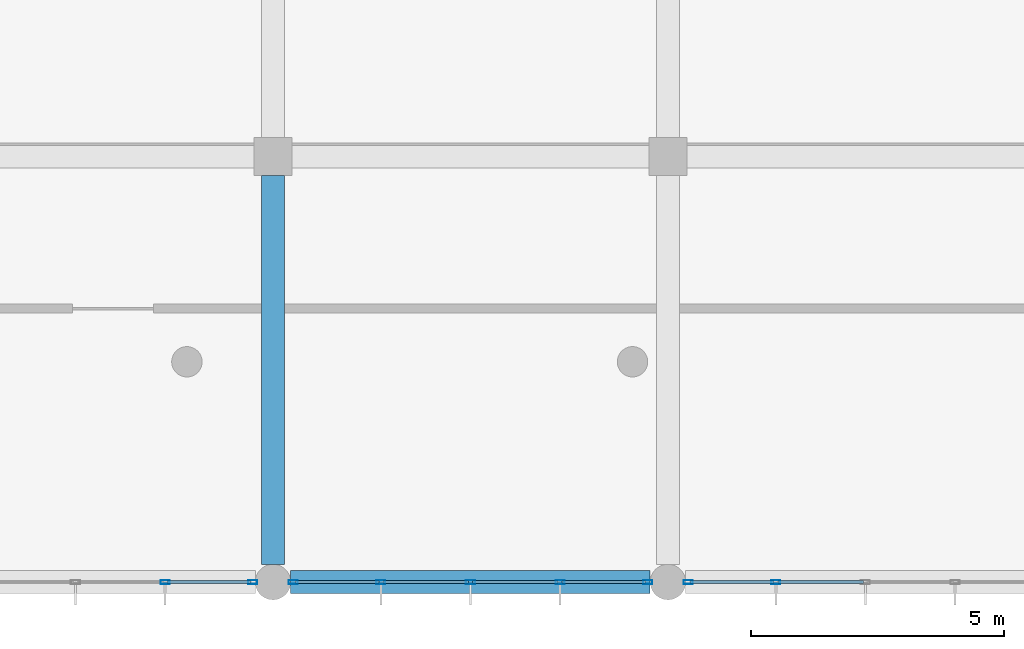
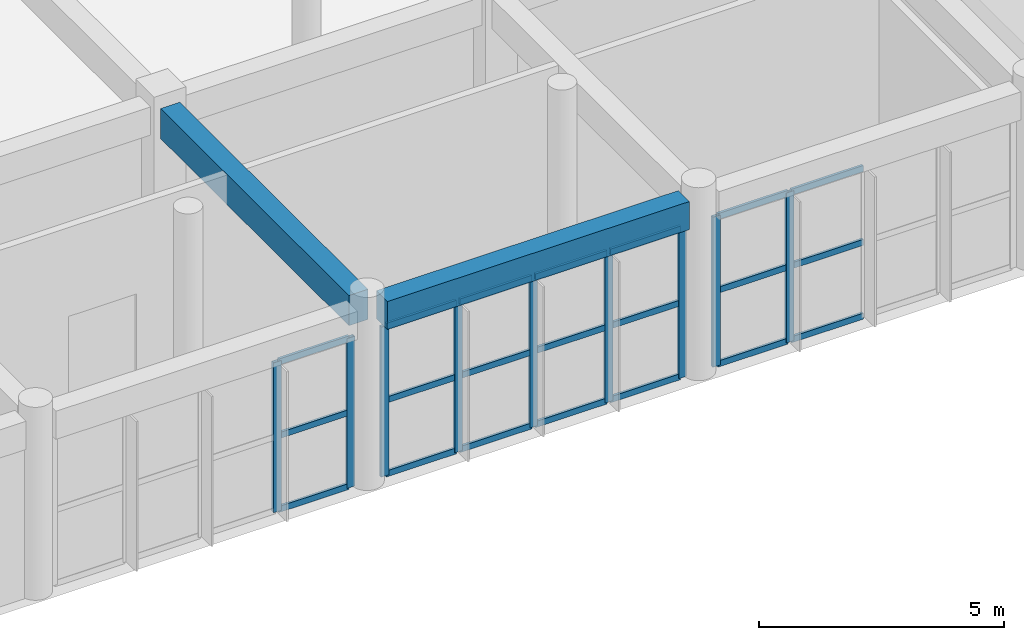
# One storey, part 10 of 167: 30 members, 2 beams, 3 elements without a shape of their own.
"""IFC4 building model written with IfcOpenShell, lengths in metres."""

from ifc_helpers import new_model, si_unit, direction, frame, origin, origin_2d, place, context, subcontext, project, spatial, rectangle, hollow_rectangle, extrude, material, layer, layer_set, material_profile, profile_set, type_object, element, aggregate, save


model = new_model("IFC4")

# Units and contexts
model_context = context("Model", 3, precision=1e-05, world=origin(), true_north=direction((0.0, 1.0)))
body_context = subcontext(model_context, "Body", "Model", "MODEL_VIEW")
ifc_project = project(units=[si_unit("LENGTHUNIT", "METRE"), si_unit("AREAUNIT", "SQUARE_METRE"), si_unit("VOLUMEUNIT", "CUBIC_METRE"), si_unit("PLANEANGLEUNIT", "RADIAN"), si_unit("MASSUNIT", "GRAM", prefix="KILO")], contexts=[model_context])

# Site, building, storey
site_placement = place(None, origin())
site = spatial("IfcSite", under=ifc_project, at=site_placement, CompositionType="ELEMENT")
building_placement = place(site_placement, origin())
building = spatial("IfcBuilding", under=site, at=building_placement, Name="Zizhar Promenade General Hospital", CompositionType="ELEMENT")
storey_placement = place(building_placement, frame((0.0, 0.0, 9.60009765625)))
storey = spatial("IfcBuildingStorey", under=building, at=storey_placement, Name="L02", CompositionType="ELEMENT", Elevation=9.60009765625)

# Beams
ifc_material_1 = material(Name="Concrete C35/45", Category="concrete")
ifc_material_profile_1 = material_profile(ifc_material_1, rectangle(XDim=0.449951171875, YDim=0.699951171875, at=origin_2d()))
ifc_profile_set_1 = profile_set([ifc_material_profile_1], Name="Concrete C35/45")
beam_type_1 = type_object("IfcBeamType", Name="BM-RC-450x700", PredefinedType="BEAM", material=ifc_profile_set_1)
beam_1_placement = place(storey_placement, frame((31.550048828125, 0.0, 4.119873046875), z_axis=(1.0, 0.0, 0.0), x_axis=(0.0, 1.0, 0.0)))
element("IfcBeam", 1, at=beam_1_placement, inside=storey, type_object=beam_type_1, Name="Grid Beam X L02 (4-0)", PredefinedType="BEAM", context=body_context, shape_type="SweptSolid", body=[
    extrude(rectangle(XDim=0.449951171875, YDim=0.699951171875, at=origin_2d()), origin(), (0.0, 0.0, 1.0), 7.099853515625),
])
ifc_material_2 = material(Name="Concrete C35/45", Category="concrete")
ifc_material_profile_2 = material_profile(ifc_material_2, rectangle(XDim=0.449951171875, YDim=0.75, at=origin_2d()))
ifc_profile_set_2 = profile_set([ifc_material_profile_2], Name="Concrete C35/45")
beam_type_2 = type_object("IfcBeamType", Name="BM-RC-450x750", PredefinedType="BEAM", material=ifc_profile_set_2)
beam_2_placement = place(storey_placement, frame((31.199951171875, 0.35009765625, 4.094970703125), z_axis=(0.0, 1.0, 0.0), x_axis=(-1.0, 0.0, 0.0)))
element("IfcBeam", 2, at=beam_2_placement, inside=storey, type_object=beam_type_2, Name="Grid Beam Y L02 (4-0)", PredefinedType="BEAM", context=body_context, shape_type="SweptSolid", body=[
    extrude(rectangle(XDim=0.449951171875, YDim=0.75, at=origin_2d()), origin(), (0.0, 0.0, 1.0), 7.6748046875),
])

# Curtain wall, members
ifc_material_3 = material(Name="Anodised aluminium 6063-T6 and low-E glass", Category="aluminium")
ifc_layer = layer(ifc_material_3, 0.159912109375)
ifc_layer_set = layer_set([ifc_layer], Name="Anodised aluminium 6063-T6 and low-E glass")
curtain_wall_type = type_object("IfcCurtainWallType", Name="CW-DT-MOD1", PredefinedType="NOTDEFINED", material=ifc_layer_set)
curtain_wall_1_placement = place(storey_placement, origin())
curtain_wall_1 = element("IfcCurtainWall", 3, at=curtain_wall_1_placement, inside=storey, type_object=curtain_wall_type, Name="Riverfront Clinical Curtain Wall L02-2", PredefinedType="NOTDEFINED")
ifc_material_4 = material(Name="Anodised aluminium 6063-T6", Category="aluminium")
ifc_material_profile_3 = material_profile(ifc_material_4, hollow_rectangle(XDim=0.080078125, YDim=0.179931640625, WallThickness=0.0048828125, at=origin_2d()))
ifc_profile_set_3 = profile_set([ifc_material_profile_3], Name="Anodised aluminium 6063-T6")
member_type_1 = type_object("IfcMemberType", Name="CWM-ALU-180x80", PredefinedType="MULLION", material=ifc_profile_set_3)
member_1_placement = place(storey_placement, frame((30.800048828125, 0.0, 0.0), z_axis=(0.0, 0.0, 1.0), x_axis=(0.0, -1.0, 0.0)))
member_1 = element("IfcMember", 4, at=member_1_placement, type_object=member_type_1, Name="CW-07 mullion 1", PredefinedType="MULLION", context=body_context, shape_type="SweptSolid", body=[
    extrude(hollow_rectangle(XDim=0.080078125, YDim=0.179931640625, WallThickness=0.0048828125, at=origin_2d()), origin(), (0.0, 0.0, 1.0), 3.72998046875),
])
member_2_placement = place(storey_placement, frame((29.070068359375, 0.0, 0.0), z_axis=(0.0, 0.0, 1.0), x_axis=(0.0, -1.0, 0.0)))
member_2 = element("IfcMember", 5, at=member_2_placement, type_object=member_type_1, Name="CW-07 mullion 2", PredefinedType="MULLION", context=body_context, shape_type="SweptSolid", body=[
    extrude(hollow_rectangle(XDim=0.080078125, YDim=0.179931640625, WallThickness=0.0048828125, at=origin_2d()), origin(), (0.0, 0.0, 1.0), 3.72998046875),
])

curtain_wall_2_placement = place(storey_placement, origin())
curtain_wall_2 = element("IfcCurtainWall", 6, at=curtain_wall_2_placement, inside=storey, type_object=curtain_wall_type, Name="Riverfront Clinical Curtain Wall L02-3", PredefinedType="NOTDEFINED")
member_3_placement = place(storey_placement, frame((38.60009765625, 0.0, 0.0), z_axis=(0.0, 0.0, 1.0), x_axis=(0.0, -1.0, 0.0)))
member_3 = element("IfcMember", 7, at=member_3_placement, type_object=member_type_1, Name="CW-07 mullion 1", PredefinedType="MULLION", context=body_context, shape_type="SweptSolid", body=[
    extrude(hollow_rectangle(XDim=0.080078125, YDim=0.179931640625, WallThickness=0.0048828125, at=origin_2d()), origin(), (0.0, 0.0, 1.0), 3.72998046875),
])
member_4_placement = place(storey_placement, frame((36.8701171875, 0.0, 0.0), z_axis=(0.0, 0.0, 1.0), x_axis=(0.0, -1.0, 0.0)))
member_4 = element("IfcMember", 8, at=member_4_placement, type_object=member_type_1, Name="CW-07 mullion 2", PredefinedType="MULLION", context=body_context, shape_type="SweptSolid", body=[
    extrude(hollow_rectangle(XDim=0.080078125, YDim=0.179931640625, WallThickness=0.0048828125, at=origin_2d()), origin(), (0.0, 0.0, 1.0), 3.72998046875),
])
member_5_placement = place(storey_placement, frame((35.10009765625, 0.0, 0.0), z_axis=(0.0, 0.0, 1.0), x_axis=(0.0, -1.0, 0.0)))
member_5 = element("IfcMember", 9, at=member_5_placement, type_object=member_type_1, Name="CW-07 mullion 3", PredefinedType="MULLION", context=body_context, shape_type="SweptSolid", body=[
    extrude(hollow_rectangle(XDim=0.080078125, YDim=0.179931640625, WallThickness=0.0048828125, at=origin_2d()), origin(), (0.0, 0.0, 1.0), 3.72998046875),
])
member_6_placement = place(storey_placement, frame((33.330078125, 0.0, 0.0), z_axis=(0.0, 0.0, 1.0), x_axis=(0.0, -1.0, 0.0)))
member_6 = element("IfcMember", 10, at=member_6_placement, type_object=member_type_1, Name="CW-07 mullion 4", PredefinedType="MULLION", context=body_context, shape_type="SweptSolid", body=[
    extrude(hollow_rectangle(XDim=0.080078125, YDim=0.179931640625, WallThickness=0.0048828125, at=origin_2d()), origin(), (0.0, 0.0, 1.0), 3.72998046875),
])
member_7_placement = place(storey_placement, frame((31.60009765625, 0.0, 0.0), z_axis=(0.0, 0.0, 1.0), x_axis=(0.0, -1.0, 0.0)))
member_7 = element("IfcMember", 11, at=member_7_placement, type_object=member_type_1, Name="CW-07 mullion 5", PredefinedType="MULLION", context=body_context, shape_type="SweptSolid", body=[
    extrude(hollow_rectangle(XDim=0.080078125, YDim=0.179931640625, WallThickness=0.0048828125, at=origin_2d()), origin(), (0.0, 0.0, 1.0), 3.72998046875),
])

curtain_wall_3_placement = place(storey_placement, origin())
curtain_wall_3 = element("IfcCurtainWall", 12, at=curtain_wall_3_placement, inside=storey, type_object=curtain_wall_type, Name="Riverfront Clinical Curtain Wall L02-4", PredefinedType="NOTDEFINED")
member_8_placement = place(storey_placement, frame((41.1298828125, 0.0, 0.0), z_axis=(0.0, 0.0, 1.0), x_axis=(0.0, -1.0, 0.0)))
member_8 = element("IfcMember", 13, at=member_8_placement, type_object=member_type_1, Name="CW-07 mullion 4", PredefinedType="MULLION", context=body_context, shape_type="SweptSolid", body=[
    extrude(hollow_rectangle(XDim=0.080078125, YDim=0.179931640625, WallThickness=0.0048828125, at=origin_2d()), origin(), (0.0, 0.0, 1.0), 3.72998046875),
])
member_9_placement = place(storey_placement, frame((39.39990234375, 0.0, 0.0), z_axis=(0.0, 0.0, 1.0), x_axis=(0.0, -1.0, 0.0)))
member_9 = element("IfcMember", 14, at=member_9_placement, type_object=member_type_1, Name="CW-07 mullion 5", PredefinedType="MULLION", context=body_context, shape_type="SweptSolid", body=[
    extrude(hollow_rectangle(XDim=0.080078125, YDim=0.179931640625, WallThickness=0.0048828125, at=origin_2d()), origin(), (0.0, 0.0, 1.0), 3.72998046875),
])

# Member
ifc_material_5 = material(Name="Anodised aluminium 6063-T6", Category="aluminium")
ifc_material_profile_4 = material_profile(ifc_material_5, hollow_rectangle(XDim=0.06005859375, YDim=0.14990234375, WallThickness=0.00390625, at=origin_2d()))
ifc_profile_set_4 = profile_set([ifc_material_profile_4], Name="Anodised aluminium 6063-T6")
member_type_2 = type_object("IfcMemberType", Name="CWT-ALU-150x60", PredefinedType="USERDEFINED", material=ifc_profile_set_4)
member_10_placement = place(storey_placement, frame((30.760009765625, 0.0, 0.02978515625), z_axis=(-1.0, 0.0, 0.0), x_axis=(0.0, -1.0, 0.0)))
member_10 = element("IfcMember", 15, at=member_10_placement, type_object=member_type_2, Name="CW-07 transom 1.1", ObjectType="TRANSOM", PredefinedType="USERDEFINED", context=body_context, shape_type="SweptSolid", body=[
    extrude(hollow_rectangle(XDim=0.06005859375, YDim=0.14990234375, WallThickness=0.00390625, at=origin_2d()), origin(), (0.0, 0.0, 1.0), 1.64990234375),
])

member_11_placement = place(storey_placement, frame((30.760009765625, 0.0, 1.864990234375), z_axis=(-1.0, 0.0, 0.0), x_axis=(0.0, -1.0, 0.0)))
member_11 = element("IfcMember", 16, at=member_11_placement, type_object=member_type_2, Name="CW-07 transom 1.2", ObjectType="TRANSOM", PredefinedType="USERDEFINED", context=body_context, shape_type="SweptSolid", body=[
    extrude(hollow_rectangle(XDim=0.06005859375, YDim=0.14990234375, WallThickness=0.00390625, at=origin_2d()), origin(), (0.0, 0.0, 1.0), 1.64990234375),
])

member_12_placement = place(storey_placement, frame((30.760009765625, 0.0, 3.699951171875), z_axis=(-1.0, 0.0, 0.0), x_axis=(0.0, -1.0, 0.0)))
member_12 = element("IfcMember", 17, at=member_12_placement, type_object=member_type_2, Name="CW-07 transom 1.3", ObjectType="TRANSOM", PredefinedType="USERDEFINED", context=body_context, shape_type="SweptSolid", body=[
    extrude(hollow_rectangle(XDim=0.06005859375, YDim=0.14990234375, WallThickness=0.00390625, at=origin_2d()), origin(), (0.0, 0.0, 1.0), 1.64990234375),
])

aggregate(curtain_wall_1, [member_1, member_2, member_10, member_11, member_12])

member_13_placement = place(storey_placement, frame((38.56005859375, 0.0, 0.02978515625), z_axis=(-1.0, 0.0, 0.0), x_axis=(0.0, -1.0, 0.0)))
member_13 = element("IfcMember", 18, at=member_13_placement, type_object=member_type_2, Name="CW-07 transom 1.1", ObjectType="TRANSOM", PredefinedType="USERDEFINED", context=body_context, shape_type="SweptSolid", body=[
    extrude(hollow_rectangle(XDim=0.06005859375, YDim=0.14990234375, WallThickness=0.00390625, at=origin_2d()), origin(), (0.0, 0.0, 1.0), 1.650146484375),
])

member_14_placement = place(storey_placement, frame((38.56005859375, 0.0, 1.864990234375), z_axis=(-1.0, 0.0, 0.0), x_axis=(0.0, -1.0, 0.0)))
member_14 = element("IfcMember", 19, at=member_14_placement, type_object=member_type_2, Name="CW-07 transom 1.2", ObjectType="TRANSOM", PredefinedType="USERDEFINED", context=body_context, shape_type="SweptSolid", body=[
    extrude(hollow_rectangle(XDim=0.06005859375, YDim=0.14990234375, WallThickness=0.00390625, at=origin_2d()), origin(), (0.0, 0.0, 1.0), 1.650146484375),
])

member_15_placement = place(storey_placement, frame((38.56005859375, 0.0, 3.699951171875), z_axis=(-1.0, 0.0, 0.0), x_axis=(0.0, -1.0, 0.0)))
member_15 = element("IfcMember", 20, at=member_15_placement, type_object=member_type_2, Name="CW-07 transom 1.3", ObjectType="TRANSOM", PredefinedType="USERDEFINED", context=body_context, shape_type="SweptSolid", body=[
    extrude(hollow_rectangle(XDim=0.06005859375, YDim=0.14990234375, WallThickness=0.00390625, at=origin_2d()), origin(), (0.0, 0.0, 1.0), 1.650146484375),
])

member_16_placement = place(storey_placement, frame((36.830078125, 0.0, 0.02978515625), z_axis=(-1.0, 0.0, 0.0), x_axis=(0.0, -1.0, 0.0)))
member_16 = element("IfcMember", 21, at=member_16_placement, type_object=member_type_2, Name="CW-07 transom 2.1", ObjectType="TRANSOM", PredefinedType="USERDEFINED", context=body_context, shape_type="SweptSolid", body=[
    extrude(hollow_rectangle(XDim=0.06005859375, YDim=0.14990234375, WallThickness=0.00390625, at=origin_2d()), origin(), (0.0, 0.0, 1.0), 1.690185546875),
])

member_17_placement = place(storey_placement, frame((36.830078125, 0.0, 1.864990234375), z_axis=(-1.0, 0.0, 0.0), x_axis=(0.0, -1.0, 0.0)))
member_17 = element("IfcMember", 22, at=member_17_placement, type_object=member_type_2, Name="CW-07 transom 2.2", ObjectType="TRANSOM", PredefinedType="USERDEFINED", context=body_context, shape_type="SweptSolid", body=[
    extrude(hollow_rectangle(XDim=0.06005859375, YDim=0.14990234375, WallThickness=0.00390625, at=origin_2d()), origin(), (0.0, 0.0, 1.0), 1.690185546875),
])

member_18_placement = place(storey_placement, frame((36.830078125, 0.0, 3.699951171875), z_axis=(-1.0, 0.0, 0.0), x_axis=(0.0, -1.0, 0.0)))
member_18 = element("IfcMember", 23, at=member_18_placement, type_object=member_type_2, Name="CW-07 transom 2.3", ObjectType="TRANSOM", PredefinedType="USERDEFINED", context=body_context, shape_type="SweptSolid", body=[
    extrude(hollow_rectangle(XDim=0.06005859375, YDim=0.14990234375, WallThickness=0.00390625, at=origin_2d()), origin(), (0.0, 0.0, 1.0), 1.690185546875),
])

member_19_placement = place(storey_placement, frame((35.06005859375, 0.0, 0.02978515625), z_axis=(-1.0, 0.0, 0.0), x_axis=(0.0, -1.0, 0.0)))
member_19 = element("IfcMember", 24, at=member_19_placement, type_object=member_type_2, Name="CW-07 transom 3.1", ObjectType="TRANSOM", PredefinedType="USERDEFINED", context=body_context, shape_type="SweptSolid", body=[
    extrude(hollow_rectangle(XDim=0.06005859375, YDim=0.14990234375, WallThickness=0.00390625, at=origin_2d()), origin(), (0.0, 0.0, 1.0), 1.68994140625),
])

member_20_placement = place(storey_placement, frame((35.06005859375, 0.0, 1.864990234375), z_axis=(-1.0, 0.0, 0.0), x_axis=(0.0, -1.0, 0.0)))
member_20 = element("IfcMember", 25, at=member_20_placement, type_object=member_type_2, Name="CW-07 transom 3.2", ObjectType="TRANSOM", PredefinedType="USERDEFINED", context=body_context, shape_type="SweptSolid", body=[
    extrude(hollow_rectangle(XDim=0.06005859375, YDim=0.14990234375, WallThickness=0.00390625, at=origin_2d()), origin(), (0.0, 0.0, 1.0), 1.68994140625),
])

member_21_placement = place(storey_placement, frame((35.06005859375, 0.0, 3.699951171875), z_axis=(-1.0, 0.0, 0.0), x_axis=(0.0, -1.0, 0.0)))
member_21 = element("IfcMember", 26, at=member_21_placement, type_object=member_type_2, Name="CW-07 transom 3.3", ObjectType="TRANSOM", PredefinedType="USERDEFINED", context=body_context, shape_type="SweptSolid", body=[
    extrude(hollow_rectangle(XDim=0.06005859375, YDim=0.14990234375, WallThickness=0.00390625, at=origin_2d()), origin(), (0.0, 0.0, 1.0), 1.68994140625),
])

member_22_placement = place(storey_placement, frame((33.2900390625, 0.0, 0.02978515625), z_axis=(-1.0, 0.0, 0.0), x_axis=(0.0, -1.0, 0.0)))
member_22 = element("IfcMember", 27, at=member_22_placement, type_object=member_type_2, Name="CW-07 transom 4.1", ObjectType="TRANSOM", PredefinedType="USERDEFINED", context=body_context, shape_type="SweptSolid", body=[
    extrude(hollow_rectangle(XDim=0.06005859375, YDim=0.14990234375, WallThickness=0.00390625, at=origin_2d()), origin(), (0.0, 0.0, 1.0), 1.650146484375),
])

member_23_placement = place(storey_placement, frame((33.2900390625, 0.0, 1.864990234375), z_axis=(-1.0, 0.0, 0.0), x_axis=(0.0, -1.0, 0.0)))
member_23 = element("IfcMember", 28, at=member_23_placement, type_object=member_type_2, Name="CW-07 transom 4.2", ObjectType="TRANSOM", PredefinedType="USERDEFINED", context=body_context, shape_type="SweptSolid", body=[
    extrude(hollow_rectangle(XDim=0.06005859375, YDim=0.14990234375, WallThickness=0.00390625, at=origin_2d()), origin(), (0.0, 0.0, 1.0), 1.650146484375),
])

member_24_placement = place(storey_placement, frame((33.2900390625, 0.0, 3.699951171875), z_axis=(-1.0, 0.0, 0.0), x_axis=(0.0, -1.0, 0.0)))
member_24 = element("IfcMember", 29, at=member_24_placement, type_object=member_type_2, Name="CW-07 transom 4.3", ObjectType="TRANSOM", PredefinedType="USERDEFINED", context=body_context, shape_type="SweptSolid", body=[
    extrude(hollow_rectangle(XDim=0.06005859375, YDim=0.14990234375, WallThickness=0.00390625, at=origin_2d()), origin(), (0.0, 0.0, 1.0), 1.650146484375),
])

aggregate(curtain_wall_2, [member_3, member_4, member_5, member_6, member_7, member_13, member_14, member_15, member_16, member_17, member_18, member_19, member_20, member_21, member_22, member_23, member_24])

member_25_placement = place(storey_placement, frame((42.860107421875, 0.0, 0.02978515625), z_axis=(-1.0, 0.0, 0.0), x_axis=(0.0, -1.0, 0.0)))
member_25 = element("IfcMember", 30, at=member_25_placement, type_object=member_type_2, Name="CW-07 transom 3.1", ObjectType="TRANSOM", PredefinedType="USERDEFINED", context=body_context, shape_type="SweptSolid", body=[
    extrude(hollow_rectangle(XDim=0.06005859375, YDim=0.14990234375, WallThickness=0.00390625, at=origin_2d()), origin(), (0.0, 0.0, 1.0), 1.690185546875),
])

member_26_placement = place(storey_placement, frame((42.860107421875, 0.0, 1.864990234375), z_axis=(-1.0, 0.0, 0.0), x_axis=(0.0, -1.0, 0.0)))
member_26 = element("IfcMember", 31, at=member_26_placement, type_object=member_type_2, Name="CW-07 transom 3.2", ObjectType="TRANSOM", PredefinedType="USERDEFINED", context=body_context, shape_type="SweptSolid", body=[
    extrude(hollow_rectangle(XDim=0.06005859375, YDim=0.14990234375, WallThickness=0.00390625, at=origin_2d()), origin(), (0.0, 0.0, 1.0), 1.690185546875),
])

member_27_placement = place(storey_placement, frame((42.860107421875, 0.0, 3.699951171875), z_axis=(-1.0, 0.0, 0.0), x_axis=(0.0, -1.0, 0.0)))
member_27 = element("IfcMember", 32, at=member_27_placement, type_object=member_type_2, Name="CW-07 transom 3.3", ObjectType="TRANSOM", PredefinedType="USERDEFINED", context=body_context, shape_type="SweptSolid", body=[
    extrude(hollow_rectangle(XDim=0.06005859375, YDim=0.14990234375, WallThickness=0.00390625, at=origin_2d()), origin(), (0.0, 0.0, 1.0), 1.690185546875),
])

member_28_placement = place(storey_placement, frame((41.090087890625, 0.0, 0.02978515625), z_axis=(-1.0, 0.0, 0.0), x_axis=(0.0, -1.0, 0.0)))
member_28 = element("IfcMember", 33, at=member_28_placement, type_object=member_type_2, Name="CW-07 transom 4.1", ObjectType="TRANSOM", PredefinedType="USERDEFINED", context=body_context, shape_type="SweptSolid", body=[
    extrude(hollow_rectangle(XDim=0.06005859375, YDim=0.14990234375, WallThickness=0.00390625, at=origin_2d()), origin(), (0.0, 0.0, 1.0), 1.650146484375),
])

member_29_placement = place(storey_placement, frame((41.090087890625, 0.0, 1.864990234375), z_axis=(-1.0, 0.0, 0.0), x_axis=(0.0, -1.0, 0.0)))
member_29 = element("IfcMember", 34, at=member_29_placement, type_object=member_type_2, Name="CW-07 transom 4.2", ObjectType="TRANSOM", PredefinedType="USERDEFINED", context=body_context, shape_type="SweptSolid", body=[
    extrude(hollow_rectangle(XDim=0.06005859375, YDim=0.14990234375, WallThickness=0.00390625, at=origin_2d()), origin(), (0.0, 0.0, 1.0), 1.650146484375),
])

member_30_placement = place(storey_placement, frame((41.090087890625, 0.0, 3.699951171875), z_axis=(-1.0, 0.0, 0.0), x_axis=(0.0, -1.0, 0.0)))
member_30 = element("IfcMember", 35, at=member_30_placement, type_object=member_type_2, Name="CW-07 transom 4.3", ObjectType="TRANSOM", PredefinedType="USERDEFINED", context=body_context, shape_type="SweptSolid", body=[
    extrude(hollow_rectangle(XDim=0.06005859375, YDim=0.14990234375, WallThickness=0.00390625, at=origin_2d()), origin(), (0.0, 0.0, 1.0), 1.650146484375),
])

aggregate(curtain_wall_3, [member_8, member_9, member_25, member_26, member_27, member_28, member_29, member_30])

save(model, "model.ifc")
